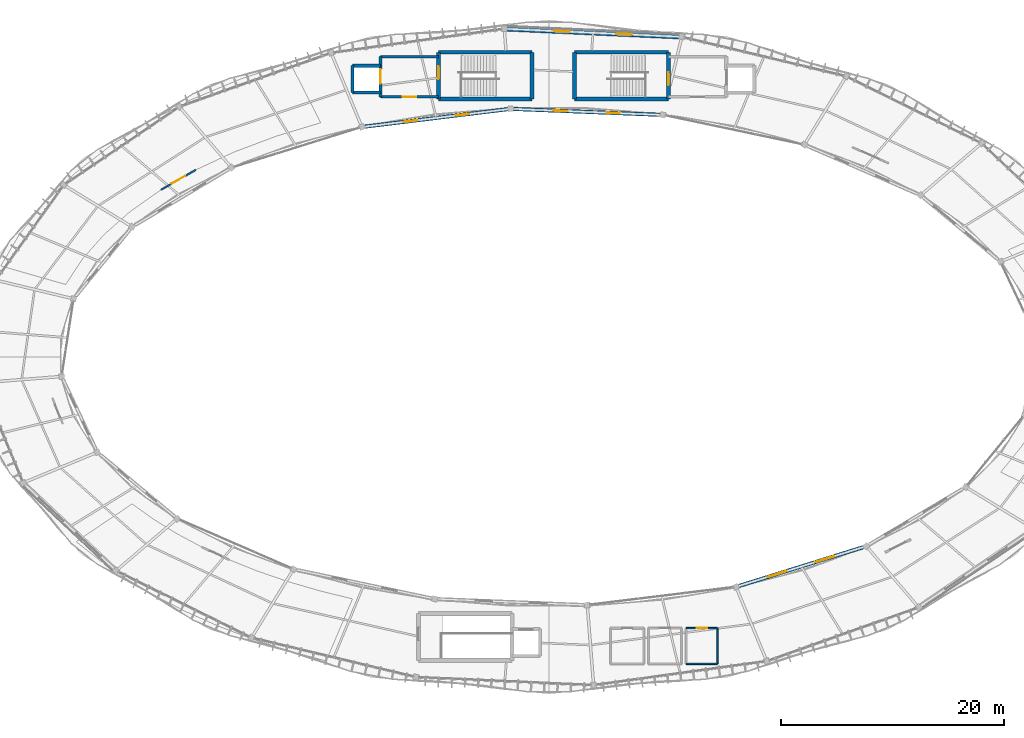
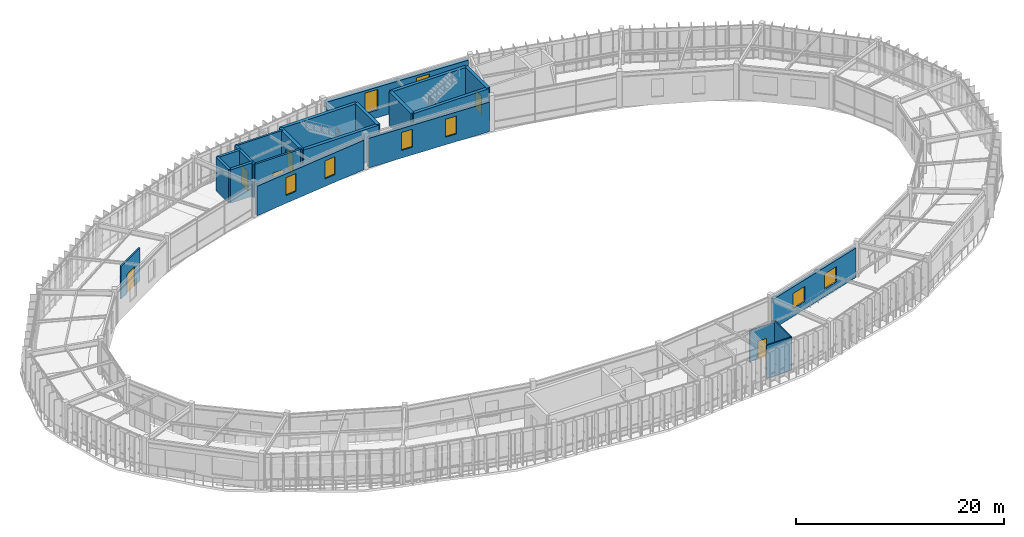
# One storey, part 69 of 78: 22 walls, 8 windows, 6 doors, 14 openings.
"""IFC4 building model written with IfcOpenShell, lengths in metres."""

from ifc_helpers import new_model, si_unit, direction, frame, frame_2d, origin, place, context, subcontext, project, spatial, rectangle, extrude, material, layer, layer_set, type_object, element, fill, save


model = new_model("IFC4")

# Units and contexts
model_context = context("Model", 3, precision=1e-05, world=origin(), true_north=direction((0.0, 1.0)))
body_context = subcontext(model_context, "Body", "Model", "MODEL_VIEW")
ifc_project = project(units=[si_unit("LENGTHUNIT", "METRE"), si_unit("AREAUNIT", "SQUARE_METRE"), si_unit("VOLUMEUNIT", "CUBIC_METRE"), si_unit("PLANEANGLEUNIT", "RADIAN"), si_unit("MASSUNIT", "GRAM", prefix="KILO"), si_unit("THERMODYNAMICTEMPERATUREUNIT", "KELVIN"), si_unit("POWERUNIT", "WATT")], contexts=[model_context])

# Site, building, storey
site_placement = place(None, origin())
site = spatial("IfcSite", under=ifc_project, at=site_placement, CompositionType="ELEMENT")
building_placement = place(site_placement, origin())
building = spatial("IfcBuilding", under=site, at=building_placement, Name="Darbajah Civic Hall", CompositionType="ELEMENT")
storey_placement = place(building_placement, frame((0.0, 0.0, 26.39990234375)))
storey = spatial("IfcBuildingStorey", under=building, at=storey_placement, Name="L06", CompositionType="ELEMENT", Elevation=26.39990234375)

# Wall, opening, door
ifc_material_1 = material(Name="Concrete C45/55", Category="concrete")
ifc_layer_1 = layer(ifc_material_1, 0.300048828125, Name="Concrete C45/55")
ifc_layer_set_1 = layer_set([ifc_layer_1], Name="Concrete C45/55")
wall_type_1 = type_object("IfcWallType", Name="Core Shear Wall 300mm", PredefinedType="SHEAR", material=ifc_layer_set_1)
wall_1_placement = place(storey_placement, frame((74.0, 116.699951171875, 0.0), z_axis=(0.0, 0.0, 1.0), x_axis=(0.0, -1.0, 0.0)))
wall_1 = element("IfcWall", 1, at=wall_1_placement, inside=storey, type_object=wall_type_1, Name="L06 firefighting lobby C01 wall W", PredefinedType="SHEAR", context=body_context, shape_type="SweptSolid", body=[
    extrude(rectangle(XDim=3.599853515625, YDim=0.300048828125, at=frame_2d((1.7998046875, 0.0))), origin(), (0.0, 0.0, 1.0), 3.920166015625),
])
opening_1_placement = place(wall_1_placement, frame((1.10009765625, 0.0, 0.0)))
opening_1 = element("IfcOpeningElement", 2, at=opening_1_placement, cuts=wall_1, Name="Opening LD-0021", PredefinedType="OPENING", context=body_context, shape_type="SweptSolid", body=[
    extrude(rectangle(XDim=1.300048828125, YDim=2.300048828125, at=frame_2d((0.64990234375, 1.14990234375))), frame((0.0, 0.159912109375, 0.0), z_axis=(0.0, -1.0, 0.0), x_axis=(1.0, 0.0, 0.0)), (0.0, 0.0, 1.0), 0.320068359375),
])
ifc_material_2 = material(Name="Firefighting Lift Landing Door")
door_type_1 = type_object("IfcDoorType", Name="Lift Landing Door 1300x2300", OperationType="SLIDING_TO_LEFT", PredefinedType="DOOR", material=ifc_material_2)
door_1_placement = place(opening_1_placement, origin())
door_1 = element("IfcDoor", 3, at=door_1_placement, inside=storey, type_object=door_type_1, Name="L06 firefighting lift FL1 landing door LD-0021", OperationType="SLIDING_TO_LEFT", OverallHeight=2.300048828125, OverallWidth=1.300048828125, PredefinedType="DOOR", context=body_context, shape_type="SweptSolid", body=[
    extrude(rectangle(XDim=1.300048828125, YDim=2.300048828125, at=frame_2d((0.64990234375, 1.14990234375))), frame((0.0, 0.02490234375, 0.0), z_axis=(0.0, -1.0, 0.0), x_axis=(1.0, 0.0, 0.0)), (0.0, 0.0, 1.0), 0.050048828125),
])
fill(opening_1, door_1)

# Walls
for number, where, z_axis, x_axis, name in (
    (4, (74.0, 115.89990234375, 0.0), (0.0, 0.0, 1.0), (-1.0, 0.0, 0.0), "L06 lift FL1 shaft wall N"),
    (5, (71.5, 113.5, 0.0), (0.0, 0.0, 1.0), (1.0, 0.0, 0.0), "L06 lift FL1 shaft wall S"),
):
    element("IfcWall", number, at=place(storey_placement, frame(where, z_axis=z_axis, x_axis=x_axis)), inside=storey, type_object=wall_type_1, Name=name, PredefinedType="SHEAR", context=body_context, shape_type="SweptSolid", body=[
        extrude(rectangle(XDim=2.5, YDim=0.300048828125, at=frame_2d((1.25, 0.0))), origin(), (0.0, 0.0, 1.0), 3.920166015625),
    ])
wall_2_placement = place(storey_placement, frame((71.5, 115.89990234375, 0.0), z_axis=(0.0, 0.0, 1.0), x_axis=(0.0, -1.0, 0.0)))
element("IfcWall", 6, at=wall_2_placement, inside=storey, type_object=wall_type_1, Name="L06 lift FL1 shaft wall OUT", PredefinedType="SHEAR", context=body_context, shape_type="SweptSolid", body=[
    extrude(rectangle(XDim=2.39990234375, YDim=0.300048828125, at=frame_2d((1.199951171875, 0.0))), origin(), (0.0, 0.0, 1.0), 3.920166015625),
])
ifc_material_3 = material(Name="Concrete C50/60", Category="concrete")
ifc_layer_2 = layer(ifc_material_3, 0.35009765625, Name="Concrete C50/60")
ifc_layer_set_2 = layer_set([ifc_layer_2], Name="Concrete C50/60")
wall_type_2 = type_object("IfcWallType", Name="Core Shear Wall 350mm", PredefinedType="SHEAR", material=ifc_layer_set_2)
wall_3_placement = place(storey_placement, frame((79.199951171875, 112.89990234375, 0.0), z_axis=(0.0, 0.0, 1.0), x_axis=(1.0, 0.0, 0.0)))
element("IfcWall", 7, at=wall_3_placement, inside=storey, type_object=wall_type_2, Name="L06 core C01 shear wall S", PredefinedType="SHEAR", context=body_context, shape_type="SweptSolid", body=[
    extrude(rectangle(XDim=8.400146484375, YDim=0.35009765625, at=frame_2d((4.2001953125, 0.0))), origin(), (0.0, 0.0, 1.0), 3.920166015625),
])
wall_4_placement = place(storey_placement, frame((87.60009765625, 112.89990234375, 0.0), z_axis=(0.0, 0.0, 1.0), x_axis=(0.0, 1.0, 0.0)))
element("IfcWall", 8, at=wall_4_placement, inside=storey, type_object=wall_type_2, Name="L06 core C01 shear wall E", PredefinedType="SHEAR", context=body_context, shape_type="SweptSolid", body=[
    extrude(rectangle(XDim=4.2001953125, YDim=0.35009765625, at=frame_2d((2.10009765625, 0.0))), origin(), (0.0, 0.0, 1.0), 3.920166015625),
])
wall_5_placement = place(storey_placement, frame((87.60009765625, 117.10009765625, 0.0), z_axis=(0.0, 0.0, 1.0), x_axis=(-1.0, 0.0, 0.0)))
element("IfcWall", 9, at=wall_5_placement, inside=storey, type_object=wall_type_2, Name="L06 core C01 shear wall N", PredefinedType="SHEAR", context=body_context, shape_type="SweptSolid", body=[
    extrude(rectangle(XDim=8.400146484375, YDim=0.35009765625, at=frame_2d((4.2001953125, 0.0))), origin(), (0.0, 0.0, 1.0), 3.920166015625),
])

# Wall, opening, door
wall_6_placement = place(storey_placement, frame((79.199951171875, 117.10009765625, 0.0), z_axis=(0.0, 0.0, 1.0), x_axis=(0.0, -1.0, 0.0)))
wall_6 = element("IfcWall", 10, at=wall_6_placement, inside=storey, type_object=wall_type_2, Name="L06 core C01 shear wall W", PredefinedType="SHEAR", context=body_context, shape_type="SweptSolid", body=[
    extrude(rectangle(XDim=4.2001953125, YDim=0.35009765625, at=frame_2d((2.10009765625, 0.0))), origin(), (0.0, 0.0, 1.0), 3.920166015625),
])
opening_2_placement = place(wall_6_placement, frame((1.25, 0.0, 0.0)))
opening_2 = element("IfcOpeningElement", 11, at=opening_2_placement, cuts=wall_6, Name="Opening SD-0013", PredefinedType="OPENING", context=body_context, shape_type="SweptSolid", body=[
    extrude(rectangle(XDim=1.14990234375, YDim=2.199951171875, at=frame_2d((0.574951171875, 1.10009765625))), frame((0.0, 0.18505859375, 0.0), z_axis=(0.0, -1.0, 0.0), x_axis=(1.0, 0.0, 0.0)), (0.0, 0.0, 1.0), 0.3701171875),
])
ifc_material_4 = material(Name="Steel Rated Core Door", Category="steel")
door_type_2 = type_object("IfcDoorType", Name="Interior Door 1150x2200", OperationType="NOTDEFINED", PredefinedType="DOOR", material=ifc_material_4)
door_2_placement = place(opening_2_placement, origin())
door_2 = element("IfcDoor", 12, at=door_2_placement, inside=storey, type_object=door_type_2, Name="L06 stair ST01 fire door SD-0013", OperationType="SINGLE_SWING_RIGHT", OverallHeight=2.199951171875, OverallWidth=1.14990234375, PredefinedType="DOOR", context=body_context, shape_type="SweptSolid", body=[
    extrude(rectangle(XDim=1.14990234375, YDim=2.199951171875, at=frame_2d((0.574951171875, 1.10009765625))), frame((0.0, 0.02490234375, 0.0), z_axis=(0.0, -1.0, 0.0), x_axis=(1.0, 0.0, 0.0)), (0.0, 0.0, 1.0), 0.050048828125),
])
fill(opening_2, door_2)

# Wall
wall_7_placement = place(storey_placement, frame((91.39990234375, 112.89990234375, 0.0), z_axis=(0.0, 0.0, 1.0), x_axis=(1.0, 0.0, 0.0)))
element("IfcWall", 13, at=wall_7_placement, inside=storey, type_object=wall_type_2, Name="L06 core C02 shear wall S", PredefinedType="SHEAR", context=body_context, shape_type="SweptSolid", body=[
    extrude(rectangle(XDim=8.400146484375, YDim=0.35009765625, at=frame_2d((4.2001953125, 0.0))), origin(), (0.0, 0.0, 1.0), 3.920166015625),
])

# Wall, opening, door
wall_8_placement = place(storey_placement, frame((99.800048828125, 112.89990234375, 0.0), z_axis=(0.0, 0.0, 1.0), x_axis=(0.0, 1.0, 0.0)))
wall_8 = element("IfcWall", 14, at=wall_8_placement, inside=storey, type_object=wall_type_2, Name="L06 core C02 shear wall E", PredefinedType="SHEAR", context=body_context, shape_type="SweptSolid", body=[
    extrude(rectangle(XDim=4.2001953125, YDim=0.35009765625, at=frame_2d((2.10009765625, 0.0))), origin(), (0.0, 0.0, 1.0), 3.920166015625),
])
opening_3_placement = place(wall_8_placement, frame((1.25, 0.0, 0.0)))
opening_3 = element("IfcOpeningElement", 15, at=opening_3_placement, cuts=wall_8, Name="Opening SD-0034", PredefinedType="OPENING", context=body_context, shape_type="SweptSolid", body=[
    extrude(rectangle(XDim=1.14990234375, YDim=2.199951171875, at=frame_2d((0.574951171875, 1.10009765625))), frame((0.0, 0.18505859375, 0.0), z_axis=(0.0, -1.0, 0.0), x_axis=(1.0, 0.0, 0.0)), (0.0, 0.0, 1.0), 0.3701171875),
])
door_3_placement = place(opening_3_placement, origin())
door_3 = element("IfcDoor", 16, at=door_3_placement, inside=storey, type_object=door_type_2, Name="L06 stair ST02 fire door SD-0034", OperationType="SINGLE_SWING_LEFT", OverallHeight=2.199951171875, OverallWidth=1.14990234375, PredefinedType="DOOR", context=body_context, shape_type="SweptSolid", body=[
    extrude(rectangle(XDim=1.14990234375, YDim=2.199951171875, at=frame_2d((0.574951171875, 1.10009765625))), frame((0.0, 0.02490234375, 0.0), z_axis=(0.0, -1.0, 0.0), x_axis=(1.0, 0.0, 0.0)), (0.0, 0.0, 1.0), 0.050048828125),
])
fill(opening_3, door_3)

# Walls
wall_9_placement = place(storey_placement, frame((99.800048828125, 117.10009765625, 0.0), z_axis=(0.0, 0.0, 1.0), x_axis=(-1.0, 0.0, 0.0)))
element("IfcWall", 17, at=wall_9_placement, inside=storey, type_object=wall_type_2, Name="L06 core C02 shear wall N", PredefinedType="SHEAR", context=body_context, shape_type="SweptSolid", body=[
    extrude(rectangle(XDim=8.400146484375, YDim=0.35009765625, at=frame_2d((4.2001953125, 0.0))), origin(), (0.0, 0.0, 1.0), 3.920166015625),
])
wall_10_placement = place(storey_placement, frame((91.39990234375, 117.10009765625, 0.0), z_axis=(0.0, 0.0, 1.0), x_axis=(0.0, -1.0, 0.0)))
element("IfcWall", 18, at=wall_10_placement, inside=storey, type_object=wall_type_2, Name="L06 core C02 shear wall W", PredefinedType="SHEAR", context=body_context, shape_type="SweptSolid", body=[
    extrude(rectangle(XDim=4.2001953125, YDim=0.35009765625, at=frame_2d((2.10009765625, 0.0))), origin(), (0.0, 0.0, 1.0), 3.920166015625),
])

# Wall, openings, windows
ifc_material_5 = material(Name="Qatari Desert Limestone Ashlar", Category="masonry")
ifc_layer_3 = layer(ifc_material_5, 0.340087890625, Name="Qatari Desert Limestone Ashlar")
ifc_layer_set_3 = layer_set([ifc_layer_3], Name="Qatari Desert Limestone Ashlar")
wall_type_3 = type_object("IfcWallType", Name="Exterior Wall 340mm", PredefinedType="SOLIDWALL", material=ifc_layer_set_3)
wall_11_placement = place(storey_placement, frame((99.029296875, 111.49560546875, 0.0), z_axis=(0.0, 0.0, 1.0), x_axis=(-0.999198007922, 0.040041740285, 0.0)))
wall_11 = element("IfcWall", 19, at=wall_11_placement, inside=storey, type_object=wall_type_3, Name="L06 exterior wall EW-340", PredefinedType="SOLIDWALL", context=body_context, shape_type="SweptSolid", body=[
    extrude(rectangle(XDim=13.0966796875, YDim=0.340087890625, at=frame_2d((6.54833984375, 0.0))), origin(), (0.0, 0.0, 1.0), 3.463134765625),
])
opening_4_placement = place(wall_11_placement, frame((3.565673828125, 0.0, 0.89990234375)))
opening_4 = element("IfcOpeningElement", 20, at=opening_4_placement, cuts=wall_11, Name="Opening WN-01", PredefinedType="OPENING", context=body_context, shape_type="SweptSolid", body=[
    extrude(rectangle(XDim=1.199951171875, YDim=2.10009765625, at=frame_2d((0.60009765625, 1.050048828125))), frame((0.0, 0.179931640625, 0.0), z_axis=(0.0, -1.0, 0.0), x_axis=(1.0, 0.0, 0.0)), (0.0, 0.0, 1.0), 0.360107421875),
])
opening_5_placement = place(wall_11_placement, frame((8.3310546875, 0.0, 0.89990234375)))
opening_5 = element("IfcOpeningElement", 21, at=opening_5_placement, cuts=wall_11, Name="Opening WN-01", PredefinedType="OPENING", context=body_context, shape_type="SweptSolid", body=[
    extrude(rectangle(XDim=1.199951171875, YDim=2.10009765625, at=frame_2d((0.60009765625, 1.050048828125))), frame((0.0, 0.179931640625, 0.0), z_axis=(0.0, -1.0, 0.0), x_axis=(1.0, 0.0, 0.0)), (0.0, 0.0, 1.0), 0.360107421875),
])
ifc_material_6 = material(Name="Low-E Solar Control Double Glazing", Category="glass")
window_type_1 = type_object("IfcWindowType", Name="Facade Window 1200x2100", PartitioningType="SINGLE_PANEL", PredefinedType="WINDOW", material=ifc_material_6)
window_1_placement = place(opening_4_placement, origin())
window_1 = element("IfcWindow", 22, at=window_1_placement, inside=storey, type_object=window_type_1, Name="L06 facade window WN-01", OverallHeight=2.10009765625, OverallWidth=1.199951171875, PartitioningType="SINGLE_PANEL", PredefinedType="WINDOW", context=body_context, shape_type="SweptSolid", body=[
    extrude(rectangle(XDim=1.199951171875, YDim=2.10009765625, at=frame_2d((0.60009765625, 1.050048828125))), frame((0.0, 0.030029296875, 0.0), z_axis=(0.0, -1.0, 0.0), x_axis=(1.0, 0.0, 0.0)), (0.0, 0.0, 1.0), 0.06005859375),
])
fill(opening_4, window_1)
window_2_placement = place(opening_5_placement, origin())
window_2 = element("IfcWindow", 23, at=window_2_placement, inside=storey, type_object=window_type_1, Name="L06 facade window WN-01", OverallHeight=2.10009765625, OverallWidth=1.199951171875, PartitioningType="SINGLE_PANEL", PredefinedType="WINDOW", context=body_context, shape_type="SweptSolid", body=[
    extrude(rectangle(XDim=1.199951171875, YDim=2.10009765625, at=frame_2d((0.60009765625, 1.050048828125))), frame((0.0, 0.030029296875, 0.0), z_axis=(0.0, -1.0, 0.0), x_axis=(1.0, 0.0, 0.0)), (0.0, 0.0, 1.0), 0.06005859375),
])
fill(opening_5, window_2)

wall_12_placement = place(storey_placement, frame((85.40283203125, 111.99951171875, 0.0), z_axis=(0.0, 0.0, 1.0), x_axis=(-0.992612043569, -0.121331492044, 0.0)))
wall_12 = element("IfcWall", 24, at=wall_12_placement, inside=storey, type_object=wall_type_3, Name="L06 exterior wall EW-340", PredefinedType="SOLIDWALL", context=body_context, shape_type="SweptSolid", body=[
    extrude(rectangle(XDim=12.851806640625, YDim=0.340087890625, at=frame_2d((6.42578125, 0.0))), origin(), (0.0, 0.0, 1.0), 3.463134765625),
])
opening_6_placement = place(wall_12_placement, frame((3.48388671875, 0.0, 0.89990234375)))
opening_6 = element("IfcOpeningElement", 25, at=opening_6_placement, cuts=wall_12, Name="Opening WN-01", PredefinedType="OPENING", context=body_context, shape_type="SweptSolid", body=[
    extrude(rectangle(XDim=1.199951171875, YDim=2.10009765625, at=frame_2d((0.60009765625, 1.050048828125))), frame((0.0, 0.179931640625, 0.0), z_axis=(0.0, -1.0, 0.0), x_axis=(1.0, 0.0, 0.0)), (0.0, 0.0, 1.0), 0.360107421875),
])
opening_7_placement = place(wall_12_placement, frame((8.16796875, 0.0, 0.89990234375)))
opening_7 = element("IfcOpeningElement", 26, at=opening_7_placement, cuts=wall_12, Name="Opening WN-01", PredefinedType="OPENING", context=body_context, shape_type="SweptSolid", body=[
    extrude(rectangle(XDim=1.199951171875, YDim=2.10009765625, at=frame_2d((0.60009765625, 1.050048828125))), frame((0.0, 0.179931640625, 0.0), z_axis=(0.0, -1.0, 0.0), x_axis=(1.0, 0.0, 0.0)), (0.0, 0.0, 1.0), 0.360107421875),
])
window_3_placement = place(opening_6_placement, origin())
window_3 = element("IfcWindow", 27, at=window_3_placement, inside=storey, type_object=window_type_1, Name="L06 facade window WN-01", OverallHeight=2.10009765625, OverallWidth=1.199951171875, PartitioningType="SINGLE_PANEL", PredefinedType="WINDOW", context=body_context, shape_type="SweptSolid", body=[
    extrude(rectangle(XDim=1.199951171875, YDim=2.10009765625, at=frame_2d((0.60009765625, 1.050048828125))), frame((0.0, 0.030029296875, 0.0), z_axis=(0.0, -1.0, 0.0), x_axis=(1.0, 0.0, 0.0)), (0.0, 0.0, 1.0), 0.06005859375),
])
fill(opening_6, window_3)
window_4_placement = place(opening_7_placement, origin())
window_4 = element("IfcWindow", 28, at=window_4_placement, inside=storey, type_object=window_type_1, Name="L06 facade window WN-01", OverallHeight=2.10009765625, OverallWidth=1.199951171875, PartitioningType="SINGLE_PANEL", PredefinedType="WINDOW", context=body_context, shape_type="SweptSolid", body=[
    extrude(rectangle(XDim=1.199951171875, YDim=2.10009765625, at=frame_2d((0.60009765625, 1.050048828125))), frame((0.0, 0.030029296875, 0.0), z_axis=(0.0, -1.0, 0.0), x_axis=(1.0, 0.0, 0.0)), (0.0, 0.0, 1.0), 0.06005859375),
])
fill(opening_7, window_4)

wall_13_placement = place(storey_placement, frame((106.12255859375, 69.279052734375, 0.0), z_axis=(0.0, 0.0, 1.0), x_axis=(0.95461987146, 0.297826964887, 0.0)))
wall_13 = element("IfcWall", 29, at=wall_13_placement, inside=storey, type_object=wall_type_3, Name="L06 exterior wall EW-340", PredefinedType="SOLIDWALL", context=body_context, shape_type="SweptSolid", body=[
    extrude(rectangle(XDim=11.63623046875, YDim=0.340087890625, at=frame_2d((5.818115234375, 0.0))), origin(), (0.0, 0.0, 1.0), 3.463134765625),
])
opening_8_placement = place(wall_13_placement, frame((2.7119140625, 0.0, 0.89990234375)))
opening_8 = element("IfcOpeningElement", 30, at=opening_8_placement, cuts=wall_13, Name="Opening WN-20", PredefinedType="OPENING", context=body_context, shape_type="SweptSolid", body=[
    extrude(rectangle(XDim=1.75, YDim=1.800048828125, at=frame_2d((0.875, 0.89990234375))), frame((0.0, 0.179931640625, 0.0), z_axis=(0.0, -1.0, 0.0), x_axis=(1.0, 0.0, 0.0)), (0.0, 0.0, 1.0), 0.360107421875),
])
opening_9_placement = place(wall_13_placement, frame((7.174072265625, 0.0, 0.89990234375)))
opening_9 = element("IfcOpeningElement", 31, at=opening_9_placement, cuts=wall_13, Name="Opening WN-20", PredefinedType="OPENING", context=body_context, shape_type="SweptSolid", body=[
    extrude(rectangle(XDim=1.75, YDim=1.800048828125, at=frame_2d((0.875, 0.89990234375))), frame((0.0, 0.179931640625, 0.0), z_axis=(0.0, -1.0, 0.0), x_axis=(1.0, 0.0, 0.0)), (0.0, 0.0, 1.0), 0.360107421875),
])
window_type_2 = type_object("IfcWindowType", Name="Facade Window 1750x1800", PartitioningType="DOUBLE_PANEL_VERTICAL", PredefinedType="WINDOW", material=ifc_material_6)
window_5_placement = place(opening_8_placement, origin())
window_5 = element("IfcWindow", 32, at=window_5_placement, inside=storey, type_object=window_type_2, Name="L06 facade window WN-20", OverallHeight=1.800048828125, OverallWidth=1.75, PartitioningType="SINGLE_PANEL", PredefinedType="WINDOW", context=body_context, shape_type="SweptSolid", body=[
    extrude(rectangle(XDim=1.75, YDim=1.800048828125, at=frame_2d((0.875, 0.89990234375))), frame((0.0, 0.030029296875, 0.0), z_axis=(0.0, -1.0, 0.0), x_axis=(1.0, 0.0, 0.0)), (0.0, 0.0, 1.0), 0.06005859375),
])
fill(opening_8, window_5)
window_6_placement = place(opening_9_placement, origin())
window_6 = element("IfcWindow", 33, at=window_6_placement, inside=storey, type_object=window_type_2, Name="L06 facade window WN-20", OverallHeight=1.800048828125, OverallWidth=1.75, PartitioningType="SINGLE_PANEL", PredefinedType="WINDOW", context=body_context, shape_type="SweptSolid", body=[
    extrude(rectangle(XDim=1.75, YDim=1.800048828125, at=frame_2d((0.875, 0.89990234375))), frame((0.0, 0.030029296875, 0.0), z_axis=(0.0, -1.0, 0.0), x_axis=(1.0, 0.0, 0.0)), (0.0, 0.0, 1.0), 0.06005859375),
])
fill(opening_9, window_6)

ifc_layer_4 = layer(ifc_material_5, 0.419921875, Name="Qatari Desert Limestone Ashlar")
ifc_layer_set_4 = layer_set([ifc_layer_4], Name="Qatari Desert Limestone Ashlar")
wall_type_4 = type_object("IfcWallType", Name="Exterior Wall 420mm", PredefinedType="SOLIDWALL", material=ifc_layer_set_4)
wall_14_placement = place(storey_placement, frame((100.711181640625, 118.498291015625, 0.0), z_axis=(0.0, 0.0, 1.0), x_axis=(-0.99896529059, 0.045479096256, 0.0)))
wall_14 = element("IfcWall", 34, at=wall_14_placement, inside=storey, type_object=wall_type_4, Name="L06 exterior wall EW-420", PredefinedType="SOLIDWALL", context=body_context, shape_type="SweptSolid", body=[
    extrude(rectangle(XDim=15.34765625, YDim=0.419921875, at=frame_2d((7.673828125, 0.0))), origin(), (0.0, 0.0, 1.0), 3.570068359375),
])
opening_10_placement = place(wall_14_placement, frame((4.1826171875, 0.0, 0.89990234375)))
opening_10 = element("IfcOpeningElement", 35, at=opening_10_placement, cuts=wall_14, Name="Opening WN-10", PredefinedType="OPENING", context=body_context, shape_type="SweptSolid", body=[
    extrude(rectangle(XDim=1.39990234375, YDim=2.39990234375, at=frame_2d((0.699951171875, 1.199951171875))), frame((0.0, 0.219970703125, 0.0), z_axis=(0.0, -1.0, 0.0), x_axis=(1.0, 0.0, 0.0)), (0.0, 0.0, 1.0), 0.43994140625),
])
opening_11_placement = place(wall_14_placement, frame((9.765380859375, 0.0, 0.89990234375)))
opening_11 = element("IfcOpeningElement", 36, at=opening_11_placement, cuts=wall_14, Name="Opening WN-10", PredefinedType="OPENING", context=body_context, shape_type="SweptSolid", body=[
    extrude(rectangle(XDim=1.39990234375, YDim=2.39990234375, at=frame_2d((0.699951171875, 1.199951171875))), frame((0.0, 0.219970703125, 0.0), z_axis=(0.0, -1.0, 0.0), x_axis=(1.0, 0.0, 0.0)), (0.0, 0.0, 1.0), 0.43994140625),
])
window_type_3 = type_object("IfcWindowType", Name="Facade Window 1400x2400", PartitioningType="SINGLE_PANEL", PredefinedType="WINDOW", material=ifc_material_6)
window_7_placement = place(opening_10_placement, origin())
window_7 = element("IfcWindow", 37, at=window_7_placement, inside=storey, type_object=window_type_3, Name="L06 facade window WN-10", OverallHeight=2.39990234375, OverallWidth=1.39990234375, PartitioningType="SINGLE_PANEL", PredefinedType="WINDOW", context=body_context, shape_type="SweptSolid", body=[
    extrude(rectangle(XDim=1.39990234375, YDim=2.39990234375, at=frame_2d((0.699951171875, 1.199951171875))), frame((0.0, 0.030029296875, 0.0), z_axis=(0.0, -1.0, 0.0), x_axis=(1.0, 0.0, 0.0)), (0.0, 0.0, 1.0), 0.06005859375),
])
fill(opening_10, window_7)
window_8_placement = place(opening_11_placement, origin())
window_8 = element("IfcWindow", 38, at=window_8_placement, inside=storey, type_object=window_type_3, Name="L06 facade window WN-10", OverallHeight=2.39990234375, OverallWidth=1.39990234375, PartitioningType="SINGLE_PANEL", PredefinedType="WINDOW", context=body_context, shape_type="SweptSolid", body=[
    extrude(rectangle(XDim=1.39990234375, YDim=2.39990234375, at=frame_2d((0.699951171875, 1.199951171875))), frame((0.0, 0.030029296875, 0.0), z_axis=(0.0, -1.0, 0.0), x_axis=(1.0, 0.0, 0.0)), (0.0, 0.0, 1.0), 0.06005859375),
])
fill(opening_11, window_8)

# Wall, opening, door
ifc_layer_5 = layer(ifc_material_1, 0.219970703125, Name="Concrete C45/55")
ifc_layer_set_5 = layer_set([ifc_layer_5], Name="Concrete C45/55")
wall_type_5 = type_object("IfcWallType", Name="Firefighting Shaft Wall 220mm", PredefinedType="SOLIDWALL", material=ifc_layer_set_5)
wall_15_placement = place(storey_placement, frame((74.0, 113.10009765625, 0.0), z_axis=(0.0, 0.0, 1.0), x_axis=(1.0, 0.0, 0.0)))
wall_15 = element("IfcWall", 39, at=wall_15_placement, inside=storey, type_object=wall_type_5, Name="L06 firefighting lobby C01 wall S", PredefinedType="SOLIDWALL", context=body_context, shape_type="SweptSolid", body=[
    extrude(rectangle(XDim=5.199951171875, YDim=0.219970703125, at=frame_2d((2.60009765625, 0.0))), origin(), (0.0, 0.0, 1.0), 3.920166015625),
])
opening_12_placement = place(wall_15_placement, frame((2.0, 0.0, 0.0)))
opening_12 = element("IfcOpeningElement", 40, at=opening_12_placement, cuts=wall_15, Name="Opening FD-0014", PredefinedType="OPENING", context=body_context, shape_type="SweptSolid", body=[
    extrude(rectangle(XDim=1.199951171875, YDim=2.199951171875, at=frame_2d((0.60009765625, 1.10009765625))), frame((0.0, 0.119873046875, 0.0), z_axis=(0.0, -1.0, 0.0), x_axis=(1.0, 0.0, 0.0)), (0.0, 0.0, 1.0), 0.239990234375),
])
ifc_material_7 = material(Name="Painted Hardwood Fire Door", Category="wood")
door_type_3 = type_object("IfcDoorType", Name="Interior Door 1200x2200", OperationType="NOTDEFINED", PredefinedType="DOOR", material=ifc_material_7)
door_4_placement = place(opening_12_placement, origin())
door_4 = element("IfcDoor", 41, at=door_4_placement, inside=storey, type_object=door_type_3, Name="L06 firefighting lobby C01 entrance door FD-0014", OperationType="SINGLE_SWING_LEFT", OverallHeight=2.199951171875, OverallWidth=1.199951171875, PredefinedType="DOOR", context=body_context, shape_type="SweptSolid", body=[
    extrude(rectangle(XDim=1.199951171875, YDim=2.199951171875, at=frame_2d((0.60009765625, 1.10009765625))), frame((0.0, 0.02490234375, 0.0), z_axis=(0.0, -1.0, 0.0), x_axis=(1.0, 0.0, 0.0)), (0.0, 0.0, 1.0), 0.050048828125),
])
fill(opening_12, door_4)

# Wall
wall_16_placement = place(storey_placement, frame((79.199951171875, 116.699951171875, 0.0), z_axis=(0.0, 0.0, 1.0), x_axis=(-1.0, 0.0, 0.0)))
element("IfcWall", 42, at=wall_16_placement, inside=storey, type_object=wall_type_5, Name="L06 firefighting lobby C01 wall N", PredefinedType="SOLIDWALL", context=body_context, shape_type="SweptSolid", body=[
    extrude(rectangle(XDim=5.199951171875, YDim=0.219970703125, at=frame_2d((2.60009765625, 0.0))), origin(), (0.0, 0.0, 1.0), 3.920166015625),
])

# Wall, opening, door
ifc_material_8 = material(Name="Acoustic Gypsum Partition")
ifc_layer_6 = layer(ifc_material_8, 0.114990234375, Name="Acoustic Gypsum Partition")
ifc_layer_set_6 = layer_set([ifc_layer_6], Name="Acoustic Gypsum Partition")
wall_type_6 = type_object("IfcWallType", Name="Interior Partition 115mm", PredefinedType="PARTITIONING", material=ifc_layer_set_6)
wall_17_placement = place(storey_placement, frame((101.39990234375, 65.5, 0.0), z_axis=(0.0, 0.0, 1.0), x_axis=(1.0, 0.0, 0.0)))
wall_17 = element("IfcWall", 43, at=wall_17_placement, inside=storey, type_object=wall_type_6, Name="L06 interior partition L06-WCA", PredefinedType="PARTITIONING", context=body_context, shape_type="SweptSolid", body=[
    extrude(rectangle(XDim=2.800048828125, YDim=0.114990234375, at=frame_2d((1.39990234375, 0.0))), origin(), (0.0, 0.0, 1.0), 3.6640625),
])
opening_13_placement = place(wall_17_placement, frame((0.925048828125, 0.0, 0.0)))
opening_13 = element("IfcOpeningElement", 44, at=opening_13_placement, cuts=wall_17, Name="Opening D-0273", PredefinedType="OPENING", context=body_context, shape_type="SweptSolid", body=[
    extrude(rectangle(XDim=0.949951171875, YDim=2.10009765625, at=frame_2d((0.47509765625, 1.050048828125))), frame((0.0, 0.0673828125, 0.0), z_axis=(0.0, -1.0, 0.0), x_axis=(1.0, 0.0, 0.0)), (0.0, 0.0, 1.0), 0.135009765625),
])
ifc_material_9 = material(Name="Accessible WC Door")
door_type_4 = type_object("IfcDoorType", Name="Interior Door 950x2100", OperationType="NOTDEFINED", PredefinedType="DOOR", material=ifc_material_9)
door_5_placement = place(opening_13_placement, origin())
door_5 = element("IfcDoor", 45, at=door_5_placement, inside=storey, type_object=door_type_4, Name="L06 L06-WCA door D-0273", OperationType="SINGLE_SWING_RIGHT", OverallHeight=2.10009765625, OverallWidth=0.949951171875, PredefinedType="DOOR", context=body_context, shape_type="SweptSolid", body=[
    extrude(rectangle(XDim=0.949951171875, YDim=2.10009765625, at=frame_2d((0.47509765625, 1.050048828125))), frame((0.0, 0.02490234375, 0.0), z_axis=(0.0, -1.0, 0.0), x_axis=(1.0, 0.0, 0.0)), (0.0, 0.0, 1.0), 0.050048828125),
])
fill(opening_13, door_5)

# Walls
ifc_material_10 = material(Name="Gypsum Plasterboard on Steel Stud", Category="steel")
ifc_layer_7 = layer(ifc_material_10, 0.135009765625, Name="Gypsum Plasterboard on Steel Stud")
ifc_layer_set_7 = layer_set([ifc_layer_7], Name="Gypsum Plasterboard on Steel Stud")
wall_type_7 = type_object("IfcWallType", Name="Interior Partition 135mm", PredefinedType="PARTITIONING", material=ifc_layer_set_7)
wall_18_placement = place(storey_placement, frame((101.39990234375, 62.300048828125, 0.0), z_axis=(0.0, 0.0, 1.0), x_axis=(1.0, 0.0, 0.0)))
element("IfcWall", 46, at=wall_18_placement, inside=storey, type_object=wall_type_7, Name="L06 restroom enclosure wall L06-WCA S", PredefinedType="PARTITIONING", context=body_context, shape_type="SweptSolid", body=[
    extrude(rectangle(XDim=2.800048828125, YDim=0.135009765625, at=frame_2d((1.39990234375, 0.0))), origin(), (0.0, 0.0, 1.0), 3.860107421875),
])
wall_19_placement = place(storey_placement, frame((104.199951171875, 62.300048828125, 0.0), z_axis=(0.0, 0.0, 1.0), x_axis=(0.0, 1.0, 0.0)))
element("IfcWall", 47, at=wall_19_placement, inside=storey, type_object=wall_type_7, Name="L06 restroom enclosure wall L06-WCA E", PredefinedType="PARTITIONING", context=body_context, shape_type="SweptSolid", body=[
    extrude(rectangle(XDim=3.199951171875, YDim=0.135009765625, at=frame_2d((1.60009765625, 0.0))), origin(), (0.0, 0.0, 1.0), 3.860107421875),
])

# Wall, opening, door
ifc_layer_8 = layer(ifc_material_10, 0.159912109375, Name="Gypsum Plasterboard on Steel Stud")
ifc_layer_set_8 = layer_set([ifc_layer_8], Name="Gypsum Plasterboard on Steel Stud")
wall_type_8 = type_object("IfcWallType", Name="Interior Partition 160mm", PredefinedType="PARTITIONING", material=ifc_layer_set_8)
wall_20_placement = place(storey_placement, frame((54.33837890625, 104.779541015625, 0.0), z_axis=(0.0, 0.0, 1.0), x_axis=(0.868113344901, 0.496366014554, 0.0)))
wall_20 = element("IfcWall", 48, at=wall_20_placement, inside=storey, type_object=wall_type_8, Name="L06 interior partition L06-V1-04", PredefinedType="PARTITIONING", context=body_context, shape_type="SweptSolid", body=[
    extrude(rectangle(XDim=3.589111328125, YDim=0.159912109375, at=frame_2d((1.79443359375, 0.0))), origin(), (0.0, 0.0, 1.0), 3.860107421875),
])
opening_14_placement = place(wall_20_placement, frame((1.094482421875, 0.0, 0.0)))
opening_14 = element("IfcOpeningElement", 49, at=opening_14_placement, cuts=wall_20, Name="Opening D-0268", PredefinedType="OPENING", context=body_context, shape_type="SweptSolid", body=[
    extrude(rectangle(XDim=1.39990234375, YDim=2.25, at=frame_2d((0.699951171875, 1.125))), frame((0.0, 0.08984375, 0.0), z_axis=(0.0, -1.0, 0.0), x_axis=(1.0, 0.0, 0.0)), (0.0, 0.0, 1.0), 0.179931640625),
])
door_type_5 = type_object("IfcDoorType", Name="Interior Door 1400x2250", OperationType="NOTDEFINED", PredefinedType="DOOR", material=ifc_material_7)
door_6_placement = place(opening_14_placement, origin())
door_6 = element("IfcDoor", 50, at=door_6_placement, inside=storey, type_object=door_type_5, Name="L06 L06-V1-04 door D-0268", OperationType="SINGLE_SWING_LEFT", OverallHeight=2.25, OverallWidth=1.39990234375, PredefinedType="DOOR", context=body_context, shape_type="SweptSolid", body=[
    extrude(rectangle(XDim=1.39990234375, YDim=2.25, at=frame_2d((0.699951171875, 1.125))), frame((0.0, 0.02490234375, 0.0), z_axis=(0.0, -1.0, 0.0), x_axis=(1.0, 0.0, 0.0)), (0.0, 0.0, 1.0), 0.050048828125),
])
fill(opening_14, door_6)

save(model, "model.ifc")
